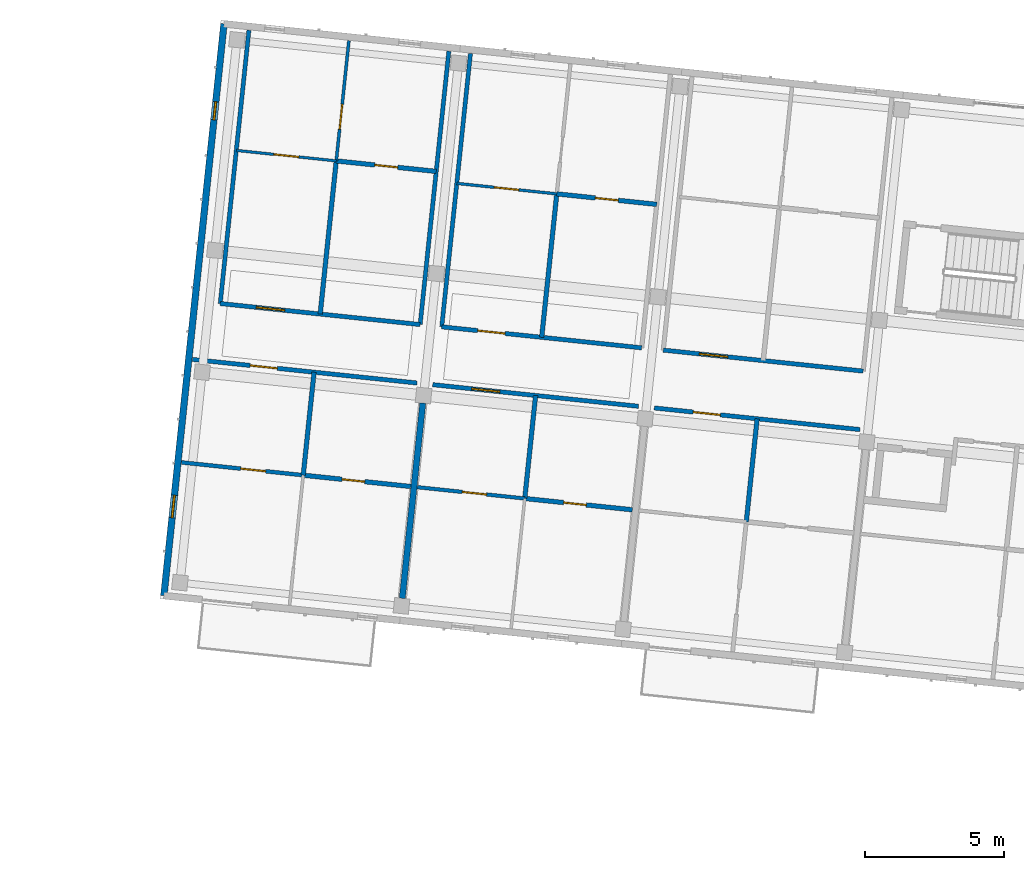
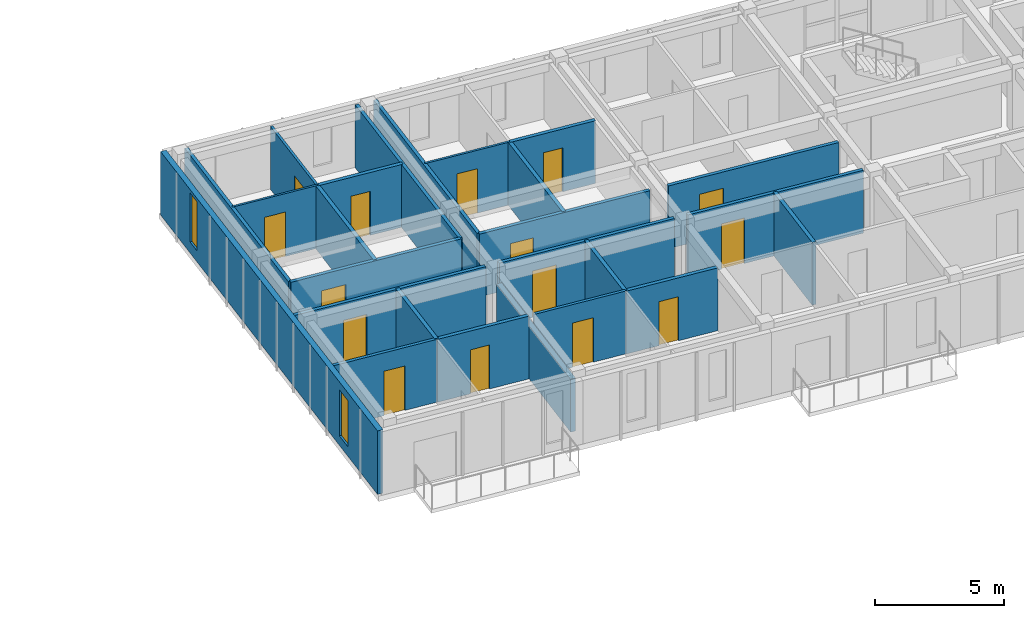
# One storey, part 31 of 65: 25 walls, 15 doors, 2 windows, 17 openings.
"""IFC4 building model written with IfcOpenShell, lengths in metres."""

from ifc_helpers import new_model, si_unit, direction, frame, frame_2d, origin, place, context, subcontext, project, spatial, rectangle, extrude, material, layer, layer_set, type_object, element, fill, save


model = new_model("IFC4")

# Units and contexts
model_context = context("Model", 3, precision=1e-05, world=origin(), true_north=direction((0.0, 1.0)))
body_context = subcontext(model_context, "Body", "Model", "MODEL_VIEW")
ifc_project = project(units=[si_unit("LENGTHUNIT", "METRE"), si_unit("AREAUNIT", "SQUARE_METRE"), si_unit("VOLUMEUNIT", "CUBIC_METRE"), si_unit("PLANEANGLEUNIT", "RADIAN"), si_unit("MASSUNIT", "GRAM", prefix="KILO")], contexts=[model_context])

# Site, building, storey
site_placement = place(None, origin())
site = spatial("IfcSite", under=ifc_project, at=site_placement, CompositionType="ELEMENT")
building_placement = place(site_placement, origin())
building = spatial("IfcBuilding", under=site, at=building_placement, Name="Kestramere Prow Commons", CompositionType="ELEMENT")
storey_placement = place(building_placement, frame((0.0, 0.0, 21.39990234375)))
storey = spatial("IfcBuildingStorey", under=building, at=storey_placement, Name="L06", CompositionType="ELEMENT", Elevation=21.39990234375)

# Wall, openings, windows
ifc_material_1 = material(Name="Fluoropolymer Standing-Seam Zinc-Aluminium Cladding", Category="aluminium")
ifc_layer_1 = layer(ifc_material_1, 0.239990234375)
ifc_layer_set_1 = layer_set([ifc_layer_1], Name="Fluoropolymer Standing-Seam Zinc-Aluminium Cladding")
wall_type_1 = type_object("IfcWallType", Name="EW-SEAM-240", PredefinedType="SOLIDWALL", material=ifc_layer_set_1)
wall_1_placement = place(storey_placement, frame((109.423095703125, 94.332763671875, 0.0), z_axis=(0.0, 0.0, 1.0), x_axis=(0.1045253859, 0.994522218808, 0.0)))
wall_1 = element("IfcWall", 1, at=wall_1_placement, inside=storey, type_object=wall_type_1, Name="Block B L06 EAV Facet Wall", PredefinedType="SOLIDWALL", context=body_context, shape_type="SweptSolid", body=[
    extrude(rectangle(XDim=20.64990234375, YDim=0.239990234375, at=frame_2d((10.324951171875, 0.0))), origin(), (0.0, 0.0, 1.0), 3.0),
])
opening_1_placement = place(wall_1_placement, frame((2.81005859375, 0.0, 0.449951171875)))
opening_1 = element("IfcOpeningElement", 2, at=opening_1_placement, cuts=wall_1, Name="Opening WN-13", PredefinedType="OPENING", context=body_context, shape_type="SweptSolid", body=[
    extrude(rectangle(XDim=0.820068359375, YDim=2.179931640625, at=frame_2d((0.41015625, 1.08984375))), frame((0.0, 0.135009765625, 0.0), z_axis=(0.0, -1.0, 0.0), x_axis=(1.0, 0.0, 0.0)), (0.0, 0.0, 1.0), 0.27001953125),
])
opening_2_placement = place(wall_1_placement, frame((17.179931640625, 0.0, 0.52001953125)))
opening_2 = element("IfcOpeningElement", 3, at=opening_2_placement, cuts=wall_1, Name="Opening WN-05", PredefinedType="OPENING", context=body_context, shape_type="SweptSolid", body=[
    extrude(rectangle(XDim=0.659912109375, YDim=2.320068359375, at=frame_2d((0.330078125, 1.16015625))), frame((0.0, 0.135009765625, 0.0), z_axis=(0.0, -1.0, 0.0), x_axis=(1.0, 0.0, 0.0)), (0.0, 0.0, 1.0), 0.27001953125),
])
ifc_material_2 = material(Name="Low-E Laminated Double Glazing", Category="glass")
window_type_1 = type_object("IfcWindowType", Name="WN-NAR-660A", PartitioningType="SINGLE_PANEL", PredefinedType="WINDOW", material=ifc_material_2)
window_1_placement = place(opening_2_placement, origin())
window_1 = element("IfcWindow", 4, at=window_1_placement, inside=storey, type_object=window_type_1, Name="WN-B-L06-EAV-1", OverallHeight=2.320068359375, OverallWidth=0.659912109375, PartitioningType="SINGLE_PANEL", PredefinedType="WINDOW", context=body_context, shape_type="SweptSolid", body=[
    extrude(rectangle(XDim=0.659912109375, YDim=2.320068359375, at=frame_2d((0.330078125, 1.16015625))), frame((0.0, 0.030029296875, 0.0), z_axis=(0.0, -1.0, 0.0), x_axis=(1.0, 0.0, 0.0)), (0.0, 0.0, 1.0), 0.06005859375),
])
fill(opening_2, window_1)
window_type_2 = type_object("IfcWindowType", Name="WN-NAR-820A", PartitioningType="DOUBLE_PANEL_VERTICAL", PredefinedType="WINDOW", material=ifc_material_2)
window_2_placement = place(opening_1_placement, origin())
window_2 = element("IfcWindow", 5, at=window_2_placement, inside=storey, type_object=window_type_2, Name="WN-B-L06-EAV-0", OverallHeight=2.179931640625, OverallWidth=0.820068359375, PartitioningType="SINGLE_PANEL", PredefinedType="WINDOW", context=body_context, shape_type="SweptSolid", body=[
    extrude(rectangle(XDim=0.820068359375, YDim=2.179931640625, at=frame_2d((0.41015625, 1.08984375))), frame((0.0, 0.030029296875, 0.0), z_axis=(0.0, -1.0, 0.0), x_axis=(1.0, 0.0, 0.0)), (0.0, 0.0, 1.0), 0.06005859375),
])
fill(opening_1, window_2)

# Wall, opening, door
ifc_material_3 = material(Name="Fire-Rated Calcium Silicate Wall")
ifc_layer_2 = layer(ifc_material_3, 0.155029296875)
ifc_layer_set_2 = layer_set([ifc_layer_2], Name="Fire-Rated Calcium Silicate Wall")
wall_type_2 = type_object("IfcWallType", Name="W-FIRE-150", PredefinedType="PARTITIONING", material=ifc_layer_set_2)
wall_2_placement = place(storey_placement, frame((110.445556640625, 102.8173828125, 0.0), z_axis=(0.0, 0.0, 1.0), x_axis=(0.994522594842, -0.104521808006, 0.0)))
wall_2 = element("IfcWall", 6, at=wall_2_placement, inside=storey, type_object=wall_type_2, Name="Interior Partition PW-B-L06-CS-0", PredefinedType="PARTITIONING", context=body_context, shape_type="SweptSolid", body=[
    extrude(rectangle(XDim=8.10986328125, YDim=0.155029296875, at=frame_2d((4.054931640625, 0.0))), origin(), (0.0, 0.0, 1.0), 2.97021484375),
])
opening_3_placement = place(wall_2_placement, frame((2.0849609375, 0.0, 0.0)))
opening_3 = element("IfcOpeningElement", 7, at=opening_3_placement, cuts=wall_2, Name="Opening ID-04", PredefinedType="OPENING", context=body_context, shape_type="SweptSolid", body=[
    extrude(rectangle(XDim=0.97998046875, YDim=2.14990234375, at=frame_2d((0.489990234375, 1.074951171875))), frame((0.0, 0.092529296875, 0.0), z_axis=(0.0, -1.0, 0.0), x_axis=(1.0, 0.0, 0.0)), (0.0, 0.0, 1.0), 0.18505859375),
])
ifc_material_4 = material(Name="Hardwood Fire-Rated Flat Entrance Door", Category="wood")
door_type_1 = type_object("IfcDoorType", Name="FD-ENT-01", OperationType="NOTDEFINED", PredefinedType="DOOR", material=ifc_material_4)
door_1_placement = place(opening_3_placement, origin())
door_1 = element("IfcDoor", 8, at=door_1_placement, inside=storey, type_object=door_type_1, Name="Interior Door DR-B-L06-ENT-S0", OperationType="SINGLE_SWING_LEFT", OverallHeight=2.14990234375, OverallWidth=0.97998046875, PredefinedType="DOOR", context=body_context, shape_type="SweptSolid", body=[
    extrude(rectangle(XDim=0.97998046875, YDim=2.14990234375, at=frame_2d((0.489990234375, 1.074951171875))), frame((0.0, 0.02490234375, 0.0), z_axis=(0.0, -1.0, 0.0), x_axis=(1.0, 0.0, 0.0)), (0.0, 0.0, 1.0), 0.050048828125),
])
fill(opening_3, door_1)

wall_3_placement = place(storey_placement, frame((119.077880859375, 101.91015625, 0.0), z_axis=(0.0, 0.0, 1.0), x_axis=(0.99451912784, -0.104554791185, 0.0)))
wall_3 = element("IfcWall", 9, at=wall_3_placement, inside=storey, type_object=wall_type_2, Name="Interior Partition PW-B-L06-CS-1", PredefinedType="PARTITIONING", context=body_context, shape_type="SweptSolid", body=[
    extrude(rectangle(XDim=7.43017578125, YDim=0.155029296875, at=frame_2d((3.715087890625, 0.0))), origin(), (0.0, 0.0, 1.0), 2.97021484375),
])
opening_4_placement = place(wall_3_placement, frame((1.405029296875, 0.0, 0.0)))
opening_4 = element("IfcOpeningElement", 10, at=opening_4_placement, cuts=wall_3, Name="Opening ID-05", PredefinedType="OPENING", context=body_context, shape_type="SweptSolid", body=[
    extrude(rectangle(XDim=1.02001953125, YDim=2.199951171875, at=frame_2d((0.510009765625, 1.10009765625))), frame((0.0, 0.092529296875, 0.0), z_axis=(0.0, -1.0, 0.0), x_axis=(1.0, 0.0, 0.0)), (0.0, 0.0, 1.0), 0.18505859375),
])
door_type_2 = type_object("IfcDoorType", Name="FD-ENT-02", OperationType="NOTDEFINED", PredefinedType="DOOR", material=ifc_material_4)
door_2_placement = place(opening_4_placement, origin())
door_2 = element("IfcDoor", 11, at=door_2_placement, inside=storey, type_object=door_type_2, Name="Interior Door DR-B-L06-ENT-S1", OperationType="SINGLE_SWING_RIGHT", OverallHeight=2.199951171875, OverallWidth=1.02001953125, PredefinedType="DOOR", context=body_context, shape_type="SweptSolid", body=[
    extrude(rectangle(XDim=1.02001953125, YDim=2.199951171875, at=frame_2d((0.510009765625, 1.10009765625))), frame((0.0, 0.02490234375, 0.0), z_axis=(0.0, -1.0, 0.0), x_axis=(1.0, 0.0, 0.0)), (0.0, 0.0, 1.0), 0.050048828125),
])
fill(opening_4, door_2)

wall_4_placement = place(storey_placement, frame((127.0341796875, 101.07373046875, 0.0), z_axis=(0.0, 0.0, 1.0), x_axis=(0.994522184982, -0.104525707739, 0.0)))
wall_4 = element("IfcWall", 12, at=wall_4_placement, inside=storey, type_object=wall_type_2, Name="Interior Partition PW-B-L06-CS-2", PredefinedType="PARTITIONING", context=body_context, shape_type="SweptSolid", body=[
    extrude(rectangle(XDim=7.429931640625, YDim=0.155029296875, at=frame_2d((3.71484375, 0.0))), origin(), (0.0, 0.0, 1.0), 2.97021484375),
])
opening_5_placement = place(wall_4_placement, frame((1.405029296875, 0.0, 0.0)))
opening_5 = element("IfcOpeningElement", 13, at=opening_5_placement, cuts=wall_4, Name="Opening ID-04", PredefinedType="OPENING", context=body_context, shape_type="SweptSolid", body=[
    extrude(rectangle(XDim=0.97998046875, YDim=2.14990234375, at=frame_2d((0.489990234375, 1.074951171875))), frame((0.0, 0.092529296875, 0.0), z_axis=(0.0, -1.0, 0.0), x_axis=(1.0, 0.0, 0.0)), (0.0, 0.0, 1.0), 0.18505859375),
])
door_3_placement = place(opening_5_placement, origin())
door_3 = element("IfcDoor", 14, at=door_3_placement, inside=storey, type_object=door_type_1, Name="Interior Door DR-B-L06-ENT-S2", OperationType="SINGLE_SWING_LEFT", OverallHeight=2.14990234375, OverallWidth=0.97998046875, PredefinedType="DOOR", context=body_context, shape_type="SweptSolid", body=[
    extrude(rectangle(XDim=0.97998046875, YDim=2.14990234375, at=frame_2d((0.489990234375, 1.074951171875))), frame((0.0, 0.02490234375, 0.0), z_axis=(0.0, -1.0, 0.0), x_axis=(1.0, 0.0, 0.0)), (0.0, 0.0, 1.0), 0.050048828125),
])
fill(opening_5, door_3)

wall_5_placement = place(storey_placement, frame((111.44580078125, 104.82373046875, 0.0), z_axis=(0.0, 0.0, 1.0), x_axis=(0.994522671024, -0.104521083137, 0.0)))
wall_5 = element("IfcWall", 15, at=wall_5_placement, inside=storey, type_object=wall_type_2, Name="Interior Partition PW-B-L06-CN-0", PredefinedType="PARTITIONING", context=body_context, shape_type="SweptSolid", body=[
    extrude(rectangle(XDim=7.219970703125, YDim=0.155029296875, at=frame_2d((3.60986328125, 0.0))), origin(), (0.0, 0.0, 1.0), 2.97021484375),
])
opening_6_placement = place(wall_5_placement, frame((1.304931640625, 0.0, 0.0)))
opening_6 = element("IfcOpeningElement", 16, at=opening_6_placement, cuts=wall_5, Name="Opening ID-05", PredefinedType="OPENING", context=body_context, shape_type="SweptSolid", body=[
    extrude(rectangle(XDim=1.02001953125, YDim=2.199951171875, at=frame_2d((0.510009765625, 1.10009765625))), frame((0.0, 0.092529296875, 0.0), z_axis=(0.0, -1.0, 0.0), x_axis=(1.0, 0.0, 0.0)), (0.0, 0.0, 1.0), 0.18505859375),
])
door_4_placement = place(opening_6_placement, origin())
door_4 = element("IfcDoor", 17, at=door_4_placement, inside=storey, type_object=door_type_2, Name="Interior Door DR-B-L06-ENT-N0", OperationType="SINGLE_SWING_RIGHT", OverallHeight=2.199951171875, OverallWidth=1.02001953125, PredefinedType="DOOR", context=body_context, shape_type="SweptSolid", body=[
    extrude(rectangle(XDim=1.02001953125, YDim=2.199951171875, at=frame_2d((0.510009765625, 1.10009765625))), frame((0.0, 0.02490234375, 0.0), z_axis=(0.0, -1.0, 0.0), x_axis=(1.0, 0.0, 0.0)), (0.0, 0.0, 1.0), 0.050048828125),
])
fill(opening_6, door_4)

wall_6_placement = place(storey_placement, frame((119.40185546875, 103.987548828125, 0.0), z_axis=(0.0, 0.0, 1.0), x_axis=(0.994522671024, -0.104521083137, 0.0)))
wall_6 = element("IfcWall", 18, at=wall_6_placement, inside=storey, type_object=wall_type_2, Name="Interior Partition PW-B-L06-CN-1", PredefinedType="PARTITIONING", context=body_context, shape_type="SweptSolid", body=[
    extrude(rectangle(XDim=7.219970703125, YDim=0.155029296875, at=frame_2d((3.60986328125, 0.0))), origin(), (0.0, 0.0, 1.0), 2.97021484375),
])
opening_7_placement = place(wall_6_placement, frame((1.304931640625, 0.0, 0.0)))
opening_7 = element("IfcOpeningElement", 19, at=opening_7_placement, cuts=wall_6, Name="Opening ID-04", PredefinedType="OPENING", context=body_context, shape_type="SweptSolid", body=[
    extrude(rectangle(XDim=0.97998046875, YDim=2.14990234375, at=frame_2d((0.489990234375, 1.074951171875))), frame((0.0, 0.092529296875, 0.0), z_axis=(0.0, -1.0, 0.0), x_axis=(1.0, 0.0, 0.0)), (0.0, 0.0, 1.0), 0.18505859375),
])
door_5_placement = place(opening_7_placement, origin())
door_5 = element("IfcDoor", 20, at=door_5_placement, inside=storey, type_object=door_type_1, Name="Interior Door DR-B-L06-ENT-N1", OperationType="SINGLE_SWING_LEFT", OverallHeight=2.14990234375, OverallWidth=0.97998046875, PredefinedType="DOOR", context=body_context, shape_type="SweptSolid", body=[
    extrude(rectangle(XDim=0.97998046875, YDim=2.14990234375, at=frame_2d((0.489990234375, 1.074951171875))), frame((0.0, 0.02490234375, 0.0), z_axis=(0.0, -1.0, 0.0), x_axis=(1.0, 0.0, 0.0)), (0.0, 0.0, 1.0), 0.050048828125),
])
fill(opening_7, door_5)

wall_7_placement = place(storey_placement, frame((127.358154296875, 103.1513671875, 0.0), z_axis=(0.0, 0.0, 1.0), x_axis=(0.994522671024, -0.104521083137, 0.0)))
wall_7 = element("IfcWall", 21, at=wall_7_placement, inside=storey, type_object=wall_type_2, Name="Interior Partition PW-B-L06-CN-2", PredefinedType="PARTITIONING", context=body_context, shape_type="SweptSolid", body=[
    extrude(rectangle(XDim=7.219970703125, YDim=0.155029296875, at=frame_2d((3.60986328125, 0.0))), origin(), (0.0, 0.0, 1.0), 2.97021484375),
])
opening_8_placement = place(wall_7_placement, frame((1.304931640625, 0.0, 0.0)))
opening_8 = element("IfcOpeningElement", 22, at=opening_8_placement, cuts=wall_7, Name="Opening ID-05", PredefinedType="OPENING", context=body_context, shape_type="SweptSolid", body=[
    extrude(rectangle(XDim=1.02001953125, YDim=2.199951171875, at=frame_2d((0.510009765625, 1.10009765625))), frame((0.0, 0.092529296875, 0.0), z_axis=(0.0, -1.0, 0.0), x_axis=(1.0, 0.0, 0.0)), (0.0, 0.0, 1.0), 0.18505859375),
])
door_6_placement = place(opening_8_placement, origin())
door_6 = element("IfcDoor", 23, at=door_6_placement, inside=storey, type_object=door_type_2, Name="Interior Door DR-B-L06-ENT-N2", OperationType="SINGLE_SWING_RIGHT", OverallHeight=2.199951171875, OverallWidth=1.02001953125, PredefinedType="DOOR", context=body_context, shape_type="SweptSolid", body=[
    extrude(rectangle(XDim=1.02001953125, YDim=2.199951171875, at=frame_2d((0.510009765625, 1.10009765625))), frame((0.0, 0.02490234375, 0.0), z_axis=(0.0, -1.0, 0.0), x_axis=(1.0, 0.0, 0.0)), (0.0, 0.0, 1.0), 0.050048828125),
])
fill(opening_8, door_6)

ifc_material_5 = material(Name="Gypsum Acoustic Drywall")
ifc_layer_3 = layer(ifc_material_5, 0.10009765625)
ifc_layer_set_3 = layer_set([ifc_layer_3], Name="Gypsum Acoustic Drywall")
wall_type_3 = type_object("IfcWallType", Name="W-PART-100", PredefinedType="PARTITIONING", material=ifc_layer_set_3)
wall_8_placement = place(storey_placement, frame((119.943359375, 109.13916015625, 0.0), z_axis=(0.0, 0.0, 1.0), x_axis=(0.994525816262, -0.104491151726, 0.0)))
wall_8 = element("IfcWall", 24, at=wall_8_placement, inside=storey, type_object=wall_type_3, Name="Interior Partition PW-B-L06-MIDN1-1", PredefinedType="PARTITIONING", context=body_context, shape_type="SweptSolid", body=[
    extrude(rectangle(XDim=3.60986328125, YDim=0.10009765625, at=frame_2d((1.804931640625, 0.0))), origin(), (0.0, 0.0, 1.0), 2.97021484375),
])
opening_9_placement = place(wall_8_placement, frame((1.35498046875, 0.0, 0.0)))
opening_9 = element("IfcOpeningElement", 25, at=opening_9_placement, cuts=wall_8, Name="Opening ID-10", PredefinedType="OPENING", context=body_context, shape_type="SweptSolid", body=[
    extrude(rectangle(XDim=0.8798828125, YDim=2.10009765625, at=frame_2d((0.43994140625, 1.050048828125))), frame((0.0, 0.06494140625, 0.0), z_axis=(0.0, -1.0, 0.0), x_axis=(1.0, 0.0, 0.0)), (0.0, 0.0, 1.0), 0.130126953125),
])
ifc_material_6 = material(Name="Engineered Timber Bedroom Door", Category="wood")
door_type_3 = type_object("IfcDoorType", Name="D-RM-03", OperationType="NOTDEFINED", PredefinedType="DOOR", material=ifc_material_6)
door_7_placement = place(opening_9_placement, origin())
door_7 = element("IfcDoor", 26, at=door_7_placement, inside=storey, type_object=door_type_3, Name="Interior Door DR-B-L06-KL-N1", OperationType="SINGLE_SWING_LEFT", OverallHeight=2.10009765625, OverallWidth=0.8798828125, PredefinedType="DOOR", context=body_context, shape_type="SweptSolid", body=[
    extrude(rectangle(XDim=0.8798828125, YDim=2.10009765625, at=frame_2d((0.43994140625, 1.050048828125))), frame((0.0, 0.02490234375, 0.0), z_axis=(0.0, -1.0, 0.0), x_axis=(1.0, 0.0, 0.0)), (0.0, 0.0, 1.0), 0.050048828125),
])
fill(opening_9, door_7)

ifc_layer_4 = layer(ifc_material_5, 0.110107421875)
ifc_layer_set_4 = layer_set([ifc_layer_4], Name="Gypsum Acoustic Drywall")
wall_type_4 = type_object("IfcWallType", Name="W-PART-110", PredefinedType="PARTITIONING", material=ifc_layer_set_4)
wall_9_placement = place(storey_placement, frame((115.614013671875, 109.946044921875, 0.0), z_axis=(0.0, 0.0, 1.0), x_axis=(0.104514950243, 0.994523315552, 0.0)))
wall_9 = element("IfcWall", 27, at=wall_9_placement, inside=storey, type_object=wall_type_4, Name="Interior Partition PW-B-L06-LB-N0", PredefinedType="PARTITIONING", context=body_context, shape_type="SweptSolid", body=[
    extrude(rectangle(XDim=4.340087890625, YDim=0.110107421875, at=frame_2d((2.169921875, 0.0))), origin(), (0.0, 0.0, 1.0), 2.97021484375),
])
opening_10_placement = place(wall_9_placement, frame((1.14990234375, 0.0, 0.0)))
opening_10 = element("IfcOpeningElement", 28, at=opening_10_placement, cuts=wall_9, Name="Opening ID-08", PredefinedType="OPENING", context=body_context, shape_type="SweptSolid", body=[
    extrude(rectangle(XDim=0.89990234375, YDim=2.10009765625, at=frame_2d((0.449951171875, 1.050048828125))), frame((0.0, 0.070068359375, 0.0), z_axis=(0.0, -1.0, 0.0), x_axis=(1.0, 0.0, 0.0)), (0.0, 0.0, 1.0), 0.14013671875),
])
ifc_material_7 = material(Name="Engineered Timber Flush Door", Category="wood")
door_type_4 = type_object("IfcDoorType", Name="D-RM-01", OperationType="NOTDEFINED", PredefinedType="DOOR", material=ifc_material_7)
door_8_placement = place(opening_10_placement, origin())
door_8 = element("IfcDoor", 29, at=door_8_placement, inside=storey, type_object=door_type_4, Name="Interior Door DR-B-L06-BED-N0", OperationType="SINGLE_SWING_LEFT", OverallHeight=2.10009765625, OverallWidth=0.89990234375, PredefinedType="DOOR", context=body_context, shape_type="SweptSolid", body=[
    extrude(rectangle(XDim=0.89990234375, YDim=2.10009765625, at=frame_2d((0.449951171875, 1.050048828125))), frame((0.0, 0.02490234375, 0.0), z_axis=(0.0, -1.0, 0.0), x_axis=(1.0, 0.0, 0.0)), (0.0, 0.0, 1.0), 0.050048828125),
])
fill(opening_10, door_8)

ifc_material_8 = material(Name="Lightweight Blockwork and Plaster", Category="masonry")
ifc_layer_5 = layer(ifc_material_8, 0.1298828125)
ifc_layer_set_5 = layer_set([ifc_layer_5], Name="Lightweight Blockwork and Plaster")
wall_type_5 = type_object("IfcWallType", Name="W-PART-130", PredefinedType="PARTITIONING", material=ifc_layer_set_5)
wall_10_placement = place(storey_placement, frame((118.52001953125, 98.228271484375, 0.0), z_axis=(0.0, 0.0, 1.0), x_axis=(0.994517841934, -0.104567021925, 0.0)))
wall_10 = element("IfcWall", 30, at=wall_10_placement, inside=storey, type_object=wall_type_5, Name="Interior Partition PW-B-L06-MIDS1-1", PredefinedType="PARTITIONING", context=body_context, shape_type="SweptSolid", body=[
    extrude(rectangle(XDim=3.885009765625, YDim=0.1298828125, at=frame_2d((1.9423828125, 0.0))), origin(), (0.0, 0.0, 1.0), 2.97021484375),
])
opening_11_placement = place(wall_10_placement, frame((1.625, 0.0, 0.0)))
opening_11 = element("IfcOpeningElement", 31, at=opening_11_placement, cuts=wall_10, Name="Opening ID-10", PredefinedType="OPENING", context=body_context, shape_type="SweptSolid", body=[
    extrude(rectangle(XDim=0.8798828125, YDim=2.10009765625, at=frame_2d((0.43994140625, 1.050048828125))), frame((0.0, 0.079833984375, 0.0), z_axis=(0.0, -1.0, 0.0), x_axis=(1.0, 0.0, 0.0)), (0.0, 0.0, 1.0), 0.159912109375),
])
door_9_placement = place(opening_11_placement, origin())
door_9 = element("IfcDoor", 32, at=door_9_placement, inside=storey, type_object=door_type_3, Name="Interior Door DR-B-L06-KL-S1", OperationType="SINGLE_SWING_RIGHT", OverallHeight=2.10009765625, OverallWidth=0.8798828125, PredefinedType="DOOR", context=body_context, shape_type="SweptSolid", body=[
    extrude(rectangle(XDim=0.8798828125, YDim=2.10009765625, at=frame_2d((0.43994140625, 1.050048828125))), frame((0.0, 0.02490234375, 0.0), z_axis=(0.0, -1.0, 0.0), x_axis=(1.0, 0.0, 0.0)), (0.0, 0.0, 1.0), 0.050048828125),
])
fill(opening_11, door_9)

ifc_material_9 = material(Name="Masonry Compartment Wall", Category="masonry")
ifc_layer_6 = layer(ifc_material_9, 0.139892578125)
ifc_layer_set_6 = layer_set([ifc_layer_6], Name="Masonry Compartment Wall")
wall_type_6 = type_object("IfcWallType", Name="W-PART-140", PredefinedType="PARTITIONING", material=ifc_layer_set_6)
wall_11_placement = place(storey_placement, frame((110.056640625, 99.11767578125, 0.0), z_axis=(0.0, 0.0, 1.0), x_axis=(0.994525828039, -0.104491039633, 0.0)))
wall_11 = element("IfcWall", 33, at=wall_11_placement, inside=storey, type_object=wall_type_6, Name="Interior Partition PW-B-L06-MIDS1-0", PredefinedType="PARTITIONING", context=body_context, shape_type="SweptSolid", body=[
    extrude(rectangle(XDim=4.39501953125, YDim=0.139892578125, at=frame_2d((2.197509765625, 0.0))), origin(), (0.0, 0.0, 1.0), 2.97021484375),
])
opening_12_placement = place(wall_11_placement, frame((2.135009765625, 0.0, 0.0)))
opening_12 = element("IfcOpeningElement", 34, at=opening_12_placement, cuts=wall_11, Name="Opening ID-08", PredefinedType="OPENING", context=body_context, shape_type="SweptSolid", body=[
    extrude(rectangle(XDim=0.89990234375, YDim=2.10009765625, at=frame_2d((0.449951171875, 1.050048828125))), frame((0.0, 0.0849609375, 0.0), z_axis=(0.0, -1.0, 0.0), x_axis=(1.0, 0.0, 0.0)), (0.0, 0.0, 1.0), 0.169921875),
])
door_10_placement = place(opening_12_placement, origin())
door_10 = element("IfcDoor", 35, at=door_10_placement, inside=storey, type_object=door_type_4, Name="Interior Door DR-B-L06-KL-S0", OperationType="SINGLE_SWING_RIGHT", OverallHeight=2.10009765625, OverallWidth=0.89990234375, PredefinedType="DOOR", context=body_context, shape_type="SweptSolid", body=[
    extrude(rectangle(XDim=0.89990234375, YDim=2.10009765625, at=frame_2d((0.449951171875, 1.050048828125))), frame((0.0, 0.02490234375, 0.0), z_axis=(0.0, -1.0, 0.0), x_axis=(1.0, 0.0, 0.0)), (0.0, 0.0, 1.0), 0.050048828125),
])
fill(opening_12, door_10)

# Walls
ifc_layer_7 = layer(ifc_material_9, 0.14990234375)
ifc_layer_set_7 = layer_set([ifc_layer_7], Name="Masonry Compartment Wall")
wall_type_7 = type_object("IfcWallType", Name="W-PART-150", PredefinedType="PARTITIONING", material=ifc_layer_set_7)
for number, where, z_axis, x_axis, name in (
    (36, (111.44580078125, 104.82373046875, 0.0), (0.0, 0.0, 1.0), (0.104508379977, 0.994524006002, 0.0), "Interior Partition PW-B-L06-NWL-0"),
    (37, (118.626220703125, 104.069091796875, 0.0), (0.0, 0.0, 1.0), (0.104508379977, 0.994524006002, 0.0), "Interior Partition PW-B-L06-NWR-0"),
    (38, (119.40185546875, 103.987548828125, 0.0), (0.0, 0.0, 1.0), (0.10453284543, 0.994521434775, 0.0), "Interior Partition PW-B-L06-NWL-1"),
):
    element("IfcWall", number, at=place(storey_placement, frame(where, z_axis=z_axis, x_axis=x_axis)), inside=storey, type_object=wall_type_7, Name=name, PredefinedType="PARTITIONING", context=body_context, shape_type="SweptSolid", body=[
        extrude(rectangle(XDim=9.869873046875, YDim=0.14990234375, at=frame_2d((4.93505859375, 0.0))), origin(), (0.0, 0.0, 1.0), 2.97021484375),
    ])

# Wall, opening, door
ifc_layer_8 = layer(ifc_material_5, 0.094970703125)
ifc_layer_set_8 = layer_set([ifc_layer_8], Name="Gypsum Acoustic Drywall")
wall_type_8 = type_object("IfcWallType", Name="W-PART-95", PredefinedType="PARTITIONING", material=ifc_layer_set_8)
wall_12_placement = place(storey_placement, frame((112.023681640625, 110.323486328125, 0.0), z_axis=(0.0, 0.0, 1.0), x_axis=(0.994519525119, -0.104551012229, 0.0)))
wall_12 = element("IfcWall", 39, at=wall_12_placement, inside=storey, type_object=wall_type_8, Name="Interior Partition PW-B-L06-MIDN1-0", PredefinedType="PARTITIONING", context=body_context, shape_type="SweptSolid", body=[
    extrude(rectangle(XDim=3.610107421875, YDim=0.094970703125, at=frame_2d((1.80517578125, 0.0))), origin(), (0.0, 0.0, 1.0), 2.97021484375),
])
opening_13_placement = place(wall_12_placement, frame((1.35498046875, 0.0, 0.0)))
opening_13 = element("IfcOpeningElement", 40, at=opening_13_placement, cuts=wall_12, Name="Opening ID-08", PredefinedType="OPENING", context=body_context, shape_type="SweptSolid", body=[
    extrude(rectangle(XDim=0.89990234375, YDim=2.10009765625, at=frame_2d((0.449951171875, 1.050048828125))), frame((0.0, 0.0625, 0.0), z_axis=(0.0, -1.0, 0.0), x_axis=(1.0, 0.0, 0.0)), (0.0, 0.0, 1.0), 0.125),
])
door_11_placement = place(opening_13_placement, origin())
door_11 = element("IfcDoor", 41, at=door_11_placement, inside=storey, type_object=door_type_4, Name="Interior Door DR-B-L06-KL-N0", OperationType="SINGLE_SWING_LEFT", OverallHeight=2.10009765625, OverallWidth=0.89990234375, PredefinedType="DOOR", context=body_context, shape_type="SweptSolid", body=[
    extrude(rectangle(XDim=0.89990234375, YDim=2.10009765625, at=frame_2d((0.449951171875, 1.050048828125))), frame((0.0, 0.02490234375, 0.0), z_axis=(0.0, -1.0, 0.0), x_axis=(1.0, 0.0, 0.0)), (0.0, 0.0, 1.0), 0.050048828125),
])
fill(opening_13, door_11)

ifc_material_10 = material(Name="Waterproof Sanitary Masonry Wall", Category="masonry")
ifc_layer_9 = layer(ifc_material_10, 0.1650390625)
ifc_layer_set_9 = layer_set([ifc_layer_9], Name="Waterproof Sanitary Masonry Wall")
wall_type_9 = type_object("IfcWallType", Name="W-PLUMB-150", PredefinedType="PLUMBINGWALL", material=ifc_layer_set_9)
wall_13_placement = place(storey_placement, frame((114.427490234375, 98.658447265625, 0.0), z_axis=(0.0, 0.0, 1.0), x_axis=(0.994517841934, -0.104567021925, 0.0)))
wall_13 = element("IfcWall", 42, at=wall_13_placement, inside=storey, type_object=wall_type_9, Name="Interior Partition PW-B-L06-MIDS2-0", PredefinedType="PLUMBINGWALL", context=body_context, shape_type="SweptSolid", body=[
    extrude(rectangle(XDim=3.885009765625, YDim=0.1650390625, at=frame_2d((1.9423828125, 0.0))), origin(), (0.0, 0.0, 1.0), 2.97021484375),
])
opening_14_placement = place(wall_13_placement, frame((1.39990234375, 0.0, 0.0)))
opening_14 = element("IfcOpeningElement", 43, at=opening_14_placement, cuts=wall_13, Name="Opening ID-11", PredefinedType="OPENING", context=body_context, shape_type="SweptSolid", body=[
    extrude(rectangle(XDim=0.820068359375, YDim=2.080078125, at=frame_2d((0.41015625, 1.0400390625))), frame((0.0, 0.097412109375, 0.0), z_axis=(0.0, -1.0, 0.0), x_axis=(1.0, 0.0, 0.0)), (0.0, 0.0, 1.0), 0.195068359375),
])
ifc_material_11 = material(Name="Moisture-Resistant Timber Bathroom Door", Category="wood")
door_type_5 = type_object("IfcDoorType", Name="D-BT-01", OperationType="NOTDEFINED", PredefinedType="DOOR", material=ifc_material_11)
door_12_placement = place(opening_14_placement, origin())
door_12 = element("IfcDoor", 44, at=door_12_placement, inside=storey, type_object=door_type_5, Name="Interior Door DR-B-L06-BTH-S0", OperationType="SINGLE_SWING_LEFT", OverallHeight=2.080078125, OverallWidth=0.820068359375, PredefinedType="DOOR", context=body_context, shape_type="SweptSolid", body=[
    extrude(rectangle(XDim=0.820068359375, YDim=2.080078125, at=frame_2d((0.41015625, 1.0400390625))), frame((0.0, 0.02490234375, 0.0), z_axis=(0.0, -1.0, 0.0), x_axis=(1.0, 0.0, 0.0)), (0.0, 0.0, 1.0), 0.050048828125),
])
fill(opening_14, door_12)

# Wall
wall_14_placement = place(storey_placement, frame((114.427490234375, 98.658447265625, 0.0), z_axis=(0.0, 0.0, 1.0), x_axis=(0.104551541926, 0.994519469433, 0.0)))
element("IfcWall", 45, at=wall_14_placement, inside=storey, type_object=wall_type_9, Name="Interior Partition PW-B-L06-KB-S0", PredefinedType="PLUMBINGWALL", context=body_context, shape_type="SweptSolid", body=[
    extrude(rectangle(XDim=3.719970703125, YDim=0.1650390625, at=frame_2d((1.85986328125, 0.0))), origin(), (0.0, 0.0, 1.0), 2.97021484375),
])

# Wall, opening, door
wall_15_placement = place(storey_placement, frame((122.3837890625, 97.822021484375, 0.0), z_axis=(0.0, 0.0, 1.0), x_axis=(0.994524375082, -0.104504867671, 0.0)))
wall_15 = element("IfcWall", 46, at=wall_15_placement, inside=storey, type_object=wall_type_9, Name="Interior Partition PW-B-L06-MIDS2-1", PredefinedType="PLUMBINGWALL", context=body_context, shape_type="SweptSolid", body=[
    extrude(rectangle(XDim=3.885009765625, YDim=0.1650390625, at=frame_2d((1.9423828125, 0.0))), origin(), (0.0, 0.0, 1.0), 2.97021484375),
])
opening_15_placement = place(wall_15_placement, frame((1.39990234375, 0.0, 0.0)))
opening_15 = element("IfcOpeningElement", 47, at=opening_15_placement, cuts=wall_15, Name="Opening ID-11", PredefinedType="OPENING", context=body_context, shape_type="SweptSolid", body=[
    extrude(rectangle(XDim=0.820068359375, YDim=2.080078125, at=frame_2d((0.41015625, 1.0400390625))), frame((0.0, 0.097412109375, 0.0), z_axis=(0.0, -1.0, 0.0), x_axis=(1.0, 0.0, 0.0)), (0.0, 0.0, 1.0), 0.195068359375),
])
door_13_placement = place(opening_15_placement, origin())
door_13 = element("IfcDoor", 48, at=door_13_placement, inside=storey, type_object=door_type_5, Name="Interior Door DR-B-L06-BTH-S1", OperationType="SINGLE_SWING_LEFT", OverallHeight=2.080078125, OverallWidth=0.820068359375, PredefinedType="DOOR", context=body_context, shape_type="SweptSolid", body=[
    extrude(rectangle(XDim=0.820068359375, YDim=2.080078125, at=frame_2d((0.41015625, 1.0400390625))), frame((0.0, 0.02490234375, 0.0), z_axis=(0.0, -1.0, 0.0), x_axis=(1.0, 0.0, 0.0)), (0.0, 0.0, 1.0), 0.050048828125),
])
fill(opening_15, door_13)

# Walls
for number, where, z_axis, x_axis, name in (
    (49, (122.3837890625, 97.822021484375, 0.0), (0.0, 0.0, 1.0), (0.10447980711, 0.994527008133, 0.0), "Interior Partition PW-B-L06-KB-S1"),
    (50, (130.33984375, 96.98583984375, 0.0), (0.0, 0.0, 1.0), (0.104544718065, 0.994520186786, 0.0), "Interior Partition PW-B-L06-KB-S2"),
):
    element("IfcWall", number, at=place(storey_placement, frame(where, z_axis=z_axis, x_axis=x_axis)), inside=storey, type_object=wall_type_9, Name=name, PredefinedType="PLUMBINGWALL", context=body_context, shape_type="SweptSolid", body=[
        extrude(rectangle(XDim=3.719970703125, YDim=0.1650390625, at=frame_2d((1.85986328125, 0.0))), origin(), (0.0, 0.0, 1.0), 2.97021484375),
    ])

# Wall, opening, door
wall_16_placement = place(storey_placement, frame((115.614013671875, 109.946044921875, 0.0), z_axis=(0.0, 0.0, 1.0), x_axis=(0.994525816262, -0.104491151726, 0.0)))
wall_16 = element("IfcWall", 51, at=wall_16_placement, inside=storey, type_object=wall_type_9, Name="Interior Partition PW-B-L06-MIDN2-0", PredefinedType="PLUMBINGWALL", context=body_context, shape_type="SweptSolid", body=[
    extrude(rectangle(XDim=3.60986328125, YDim=0.1650390625, at=frame_2d((1.804931640625, 0.0))), origin(), (0.0, 0.0, 1.0), 2.97021484375),
])
opening_16_placement = place(wall_16_placement, frame((1.39501953125, 0.0, 0.0)))
opening_16 = element("IfcOpeningElement", 52, at=opening_16_placement, cuts=wall_16, Name="Opening ID-11", PredefinedType="OPENING", context=body_context, shape_type="SweptSolid", body=[
    extrude(rectangle(XDim=0.820068359375, YDim=2.080078125, at=frame_2d((0.41015625, 1.0400390625))), frame((0.0, 0.097412109375, 0.0), z_axis=(0.0, -1.0, 0.0), x_axis=(1.0, 0.0, 0.0)), (0.0, 0.0, 1.0), 0.195068359375),
])
door_14_placement = place(opening_16_placement, origin())
door_14 = element("IfcDoor", 53, at=door_14_placement, inside=storey, type_object=door_type_5, Name="Interior Door DR-B-L06-BTH-N0", OperationType="SINGLE_SWING_RIGHT", OverallHeight=2.080078125, OverallWidth=0.820068359375, PredefinedType="DOOR", context=body_context, shape_type="SweptSolid", body=[
    extrude(rectangle(XDim=0.820068359375, YDim=2.080078125, at=frame_2d((0.41015625, 1.0400390625))), frame((0.0, 0.02490234375, 0.0), z_axis=(0.0, -1.0, 0.0), x_axis=(1.0, 0.0, 0.0)), (0.0, 0.0, 1.0), 0.050048828125),
])
fill(opening_16, door_14)

# Wall
wall_17_placement = place(storey_placement, frame((115.035888671875, 104.446533203125, 0.0), z_axis=(0.0, 0.0, 1.0), x_axis=(0.104546890769, 0.994519958387, 0.0)))
element("IfcWall", 54, at=wall_17_placement, inside=storey, type_object=wall_type_9, Name="Interior Partition PW-B-L06-KB-N0", PredefinedType="PLUMBINGWALL", context=body_context, shape_type="SweptSolid", body=[
    extrude(rectangle(XDim=5.52978515625, YDim=0.1650390625, at=frame_2d((2.764892578125, 0.0))), origin(), (0.0, 0.0, 1.0), 2.97021484375),
])

# Wall, opening, door
wall_18_placement = place(storey_placement, frame((123.533447265625, 108.761962890625, 0.0), z_axis=(0.0, 0.0, 1.0), x_axis=(0.994519525119, -0.104551012229, 0.0)))
wall_18 = element("IfcWall", 55, at=wall_18_placement, inside=storey, type_object=wall_type_9, Name="Interior Partition PW-B-L06-MIDN2-1", PredefinedType="PLUMBINGWALL", context=body_context, shape_type="SweptSolid", body=[
    extrude(rectangle(XDim=3.610107421875, YDim=0.1650390625, at=frame_2d((1.80517578125, 0.0))), origin(), (0.0, 0.0, 1.0), 2.97021484375),
])
opening_17_placement = place(wall_18_placement, frame((1.39501953125, 0.0, 0.0)))
opening_17 = element("IfcOpeningElement", 56, at=opening_17_placement, cuts=wall_18, Name="Opening ID-11", PredefinedType="OPENING", context=body_context, shape_type="SweptSolid", body=[
    extrude(rectangle(XDim=0.820068359375, YDim=2.080078125, at=frame_2d((0.41015625, 1.0400390625))), frame((0.0, 0.097412109375, 0.0), z_axis=(0.0, -1.0, 0.0), x_axis=(1.0, 0.0, 0.0)), (0.0, 0.0, 1.0), 0.195068359375),
])
door_15_placement = place(opening_17_placement, origin())
door_15 = element("IfcDoor", 57, at=door_15_placement, inside=storey, type_object=door_type_5, Name="Interior Door DR-B-L06-BTH-N1", OperationType="SINGLE_SWING_RIGHT", OverallHeight=2.080078125, OverallWidth=0.820068359375, PredefinedType="DOOR", context=body_context, shape_type="SweptSolid", body=[
    extrude(rectangle(XDim=0.820068359375, YDim=2.080078125, at=frame_2d((0.41015625, 1.0400390625))), frame((0.0, 0.02490234375, 0.0), z_axis=(0.0, -1.0, 0.0), x_axis=(1.0, 0.0, 0.0)), (0.0, 0.0, 1.0), 0.050048828125),
])
fill(opening_17, door_15)

# Walls
wall_19_placement = place(storey_placement, frame((122.9921875, 103.610107421875, 0.0), z_axis=(0.0, 0.0, 1.0), x_axis=(0.104486063868, 0.994526350811, 0.0)))
element("IfcWall", 58, at=wall_19_placement, inside=storey, type_object=wall_type_9, Name="Interior Partition PW-B-L06-KB-N1", PredefinedType="PLUMBINGWALL", context=body_context, shape_type="SweptSolid", body=[
    extrude(rectangle(XDim=5.18017578125, YDim=0.1650390625, at=frame_2d((2.590087890625, 0.0))), origin(), (0.0, 0.0, 1.0), 2.97021484375),
])
ifc_material_12 = material(Name="Precast concrete C40/50", Category="concrete")
ifc_layer_10 = layer(ifc_material_12, 0.219970703125)
ifc_layer_set_10 = layer_set([ifc_layer_10], Name="Precast concrete C40/50")
wall_type_10 = type_object("IfcWallType", Name="W-XWALL-220", PredefinedType="SHEAR", material=ifc_layer_set_10)
wall_20_placement = place(storey_placement, frame((117.98486328125, 94.2373046875, 0.0), z_axis=(0.0, 0.0, 1.0), x_axis=(0.104549582151, 0.994519675458, 0.0)))
element("IfcWall", 59, at=wall_20_placement, inside=storey, type_object=wall_type_10, Name="Block B L06 Precast Cross-Wall 1", PredefinedType="SHEAR", context=body_context, shape_type="SweptSolid", body=[
    extrude(rectangle(XDim=7.0498046875, YDim=0.219970703125, at=frame_2d((3.52490234375, 0.0))), origin(), (0.0, 0.0, 1.0), 2.5),
])

save(model, "model.ifc")
